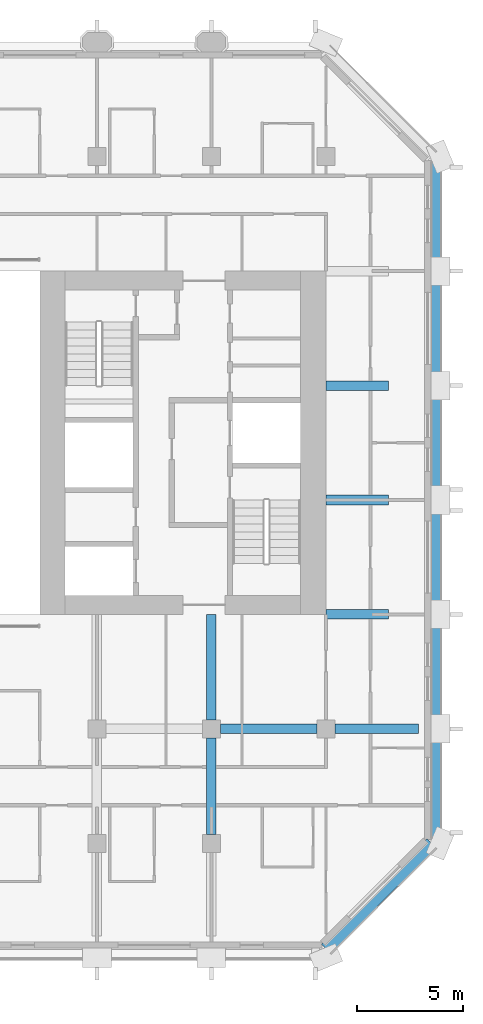
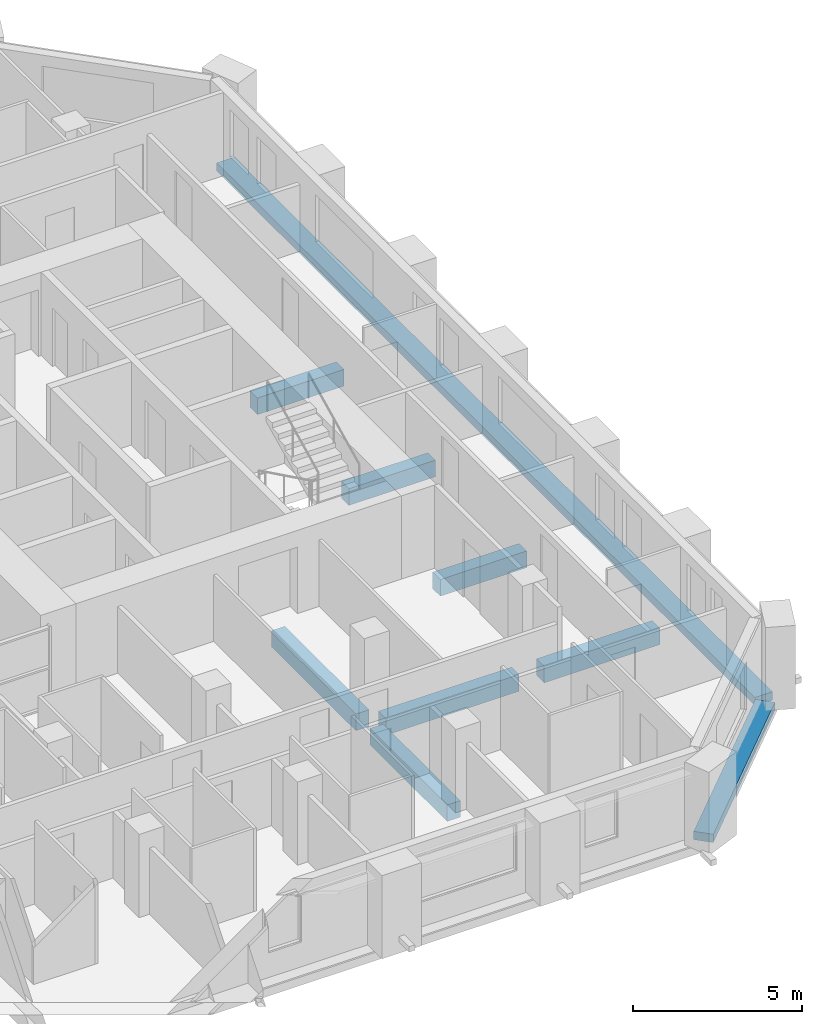
# One storey, part 3 of 13: 9 beams.
"""IFC4 building model written with IfcOpenShell, lengths in metres."""

from ifc_helpers import new_model, si_unit, direction, frame, origin, origin_2d, place, context, subcontext, project, spatial, rectangle, extrude, material, material_profile, profile_set, type_object, element, save


model = new_model("IFC4")

# Units and contexts
model_context = context("Model", 3, precision=1e-05, world=origin(), true_north=direction((0.0, 1.0)))
body_context = subcontext(model_context, "Body", "Model", "MODEL_VIEW")
ifc_project = project(units=[si_unit("LENGTHUNIT", "METRE"), si_unit("AREAUNIT", "SQUARE_METRE"), si_unit("VOLUMEUNIT", "CUBIC_METRE"), si_unit("PLANEANGLEUNIT", "RADIAN"), si_unit("MASSUNIT", "GRAM", prefix="KILO")], contexts=[model_context])

# Site, building, storey
site_placement = place(None, origin())
site = spatial("IfcSite", under=ifc_project, at=site_placement, CompositionType="ELEMENT")
building_placement = place(site_placement, origin())
building = spatial("IfcBuilding", under=site, at=building_placement, Name="Tabaq Tower and Sports Hall", CompositionType="ELEMENT")
storey_placement = place(building_placement, frame((0.0, 0.0, 159.39990234375)))
storey = spatial("IfcBuildingStorey", under=building, at=storey_placement, Name="L37", CompositionType="ELEMENT", Elevation=159.39990234375)

# Beams
ifc_material_1 = material(Name="Concrete C40/50", Category="concrete")
ifc_material_profile_1 = material_profile(ifc_material_1, rectangle(XDim=0.449951171875, YDim=0.60009765625, at=origin_2d()), Name="CB 450x600")
ifc_profile_set_1 = profile_set([ifc_material_profile_1], Name="Concrete C40/50")
beam_type_1 = type_object("IfcBeamType", Name="PT CANTILEVER BEAM CB 450x600 C40/50", PredefinedType="BEAM", material=ifc_profile_set_1)
beam_1_placement = place(storey_placement, frame((47.574951171875, 10.800048828125, -0.599853515625), z_axis=(-1.0, 0.0, 0.0), x_axis=(0.0, -1.0, 0.0)))
element("IfcBeam", 1, at=beam_1_placement, inside=storey, type_object=beam_type_1, Name="Cantilever Beam L37 E2 span 1", PredefinedType="BEAM", context=body_context, shape_type="SweptSolid", body=[
    extrude(rectangle(XDim=0.449951171875, YDim=0.60009765625, at=origin_2d()), origin(), (0.0, 0.0, 1.0), 3.949951171875),
])
beam_2_placement = place(storey_placement, frame((42.77490234375, 10.800048828125, -0.599853515625), z_axis=(-1.0, 0.0, 0.0), x_axis=(0.0, -1.0, 0.0)))
element("IfcBeam", 2, at=beam_2_placement, inside=storey, type_object=beam_type_1, Name="Cantilever Beam L37 E2 span 2", PredefinedType="BEAM", context=body_context, shape_type="SweptSolid", body=[
    extrude(rectangle(XDim=0.449951171875, YDim=0.60009765625, at=origin_2d()), origin(), (0.0, 0.0, 1.0), 4.5498046875),
])
for number, where, z_axis, x_axis, name in (
    (3, (46.14990234375, 16.199951171875, -0.599853515625), (-1.0, 0.0, 0.0), (0.0, -1.0, 0.0), "Cantilever Beam L37 E3 span 1"),
    (4, (46.14990234375, 21.60009765625, -0.599853515625), (-1.0, 0.0, 0.0), (0.0, -1.0, 0.0), "Cantilever Beam L37 E4 span 1"),
    (5, (46.14990234375, 27.0, -0.599853515625), (-1.0, 0.0, 0.0), (0.0, -1.0, 0.0), "Cantilever Beam L37 E5 span 1"),
):
    element("IfcBeam", number, at=place(storey_placement, frame(where, z_axis=z_axis, x_axis=x_axis)), inside=storey, type_object=beam_type_1, Name=name, PredefinedType="BEAM", context=body_context, shape_type="SweptSolid", body=[
        extrude(rectangle(XDim=0.449951171875, YDim=0.60009765625, at=origin_2d()), origin(), (0.0, 0.0, 1.0), 2.949951171875),
    ])
beam_3_placement = place(storey_placement, frame((37.800048828125, 5.824951171875, -0.599853515625), z_axis=(0.0, 1.0, 0.0), x_axis=(-1.0, 0.0, 0.0)))
element("IfcBeam", 6, at=beam_3_placement, inside=storey, type_object=beam_type_1, Name="Cantilever Beam L37 S7 span 2", PredefinedType="BEAM", context=body_context, shape_type="SweptSolid", body=[
    extrude(rectangle(XDim=0.449951171875, YDim=0.60009765625, at=origin_2d()), origin(), (0.0, 0.0, 1.0), 4.550048828125),
])
beam_4_placement = place(storey_placement, frame((37.800048828125, 11.22509765625, -0.599853515625), z_axis=(0.0, 1.0, 0.0), x_axis=(-1.0, 0.0, 0.0)))
element("IfcBeam", 7, at=beam_4_placement, inside=storey, type_object=beam_type_1, Name="Cantilever Beam L37 S7 span 3", PredefinedType="BEAM", context=body_context, shape_type="SweptSolid", body=[
    extrude(rectangle(XDim=0.449951171875, YDim=0.60009765625, at=origin_2d()), origin(), (0.0, 0.0, 1.0), 4.974853515625),
])
ifc_material_2 = material(Name="Concrete C40/50", Category="concrete")
ifc_material_profile_2 = material_profile(ifc_material_2, rectangle(XDim=0.60009765625, YDim=0.300048828125, at=origin_2d()), Name="EB 600x300")
ifc_profile_set_2 = profile_set([ifc_material_profile_2], Name="Concrete C40/50")
beam_type_2 = type_object("IfcBeamType", Name="PT EDGE BEAM EB 600x300 C40/50", PredefinedType="SPANDREL", material=ifc_profile_set_2)
beam_5_placement = place(storey_placement, frame((43.198974609375, 0.42333984375, -0.14990234375), z_axis=(0.707106781187, 0.707106781187, 0.0), x_axis=(-0.707106781187, 0.707106781187, 0.0)))
element("IfcBeam", 8, at=beam_5_placement, inside=storey, type_object=beam_type_2, Name="Edge Beam L37 2", PredefinedType="SPANDREL", context=body_context, shape_type="SweptSolid", body=[
    extrude(rectangle(XDim=0.60009765625, YDim=0.300048828125, at=origin_2d()), origin(), (0.0, 0.0, 1.0), 7.03955078125),
])
beam_6_placement = place(storey_placement, frame((48.300048828125, 5.698486328125, -0.14990234375), z_axis=(0.0, 1.0, 0.0), x_axis=(-1.0, 0.0, 0.0)))
element("IfcBeam", 9, at=beam_6_placement, inside=storey, type_object=beam_type_2, Name="Edge Beam L37 3", PredefinedType="SPANDREL", context=body_context, shape_type="SweptSolid", body=[
    extrude(rectangle(XDim=0.60009765625, YDim=0.300048828125, at=origin_2d()), origin(), (0.0, 0.0, 1.0), 31.802978515625),
])

save(model, "model.ifc")
